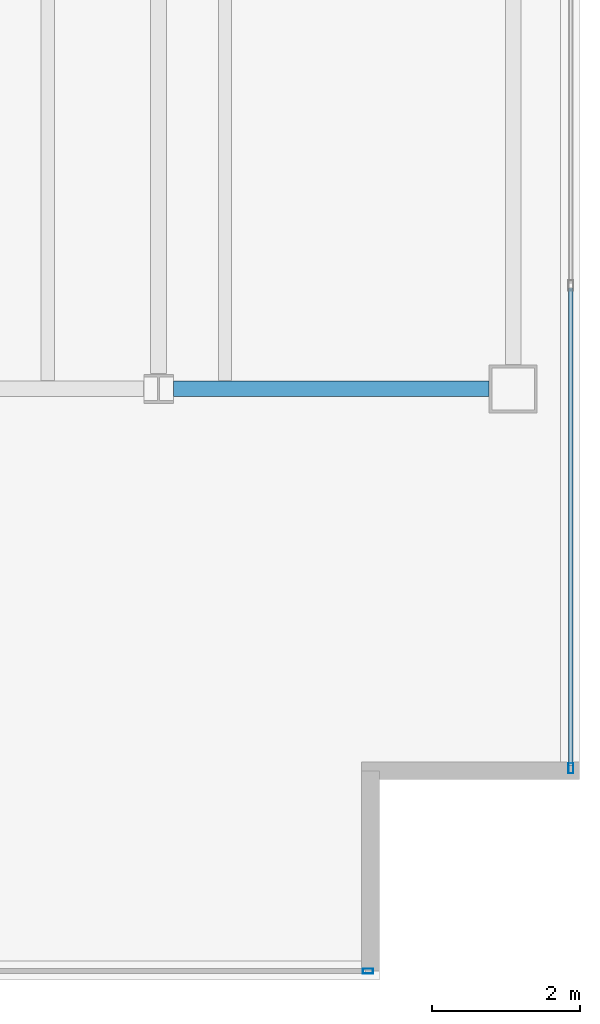
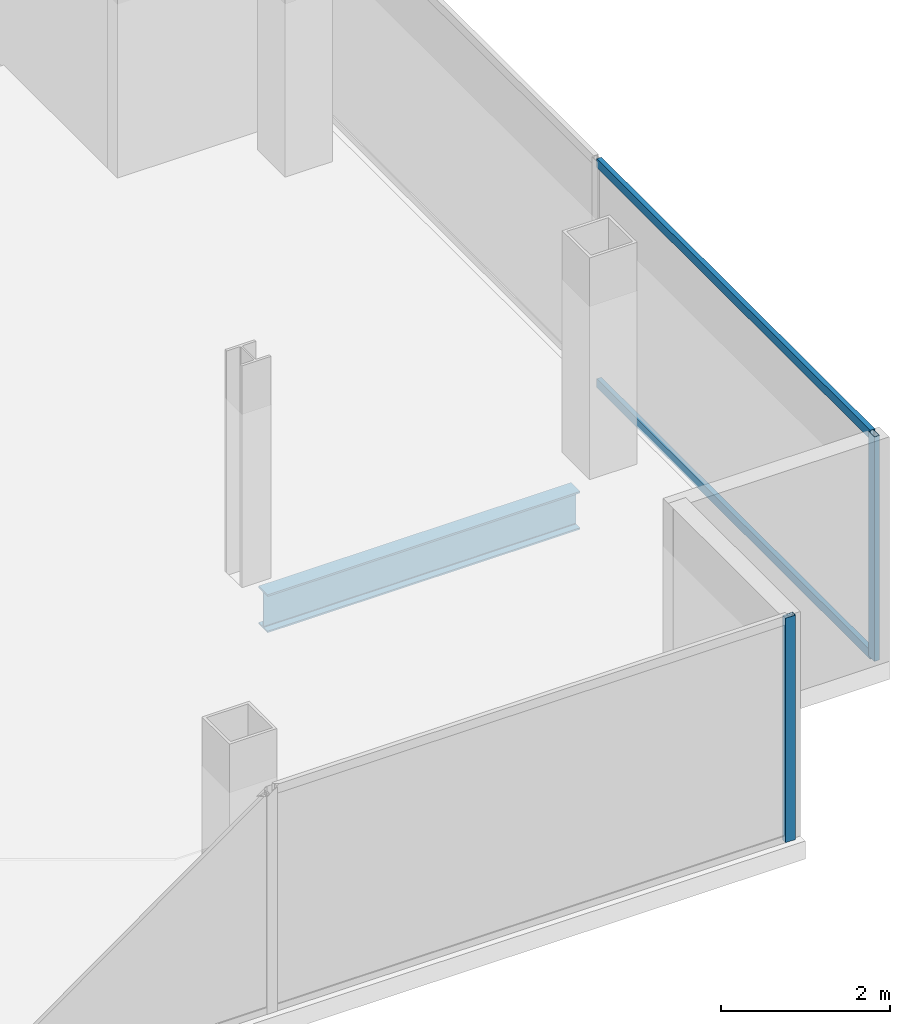
# One storey, part 14 of 23: 4 members, 1 beam, 2 elements without a shape of their own.
"""IFC4 building model written with IfcOpenShell, lengths in metres."""

from ifc_helpers import new_model, si_unit, direction, frame, origin, origin_2d, place, context, subcontext, project, spatial, hollow_rectangle, i_section, extrude, material, material_profile, profile_set, type_object, element, aggregate, save


model = new_model("IFC4")

# Units and contexts
model_context = context("Model", 3, precision=1e-05, world=origin(), true_north=direction((0.0, 1.0)))
body_context = subcontext(model_context, "Body", "Model", "MODEL_VIEW")
ifc_project = project(units=[si_unit("LENGTHUNIT", "METRE"), si_unit("AREAUNIT", "SQUARE_METRE"), si_unit("VOLUMEUNIT", "CUBIC_METRE"), si_unit("PLANEANGLEUNIT", "RADIAN"), si_unit("MASSUNIT", "GRAM", prefix="KILO")], contexts=[model_context])

# Site, building, storey
site_placement = place(None, origin())
site = spatial("IfcSite", under=ifc_project, at=site_placement, CompositionType="ELEMENT")
building_placement = place(site_placement, origin())
building = spatial("IfcBuilding", under=site, at=building_placement, Name="Cobrela Telecom Tower", CompositionType="ELEMENT")
storey_placement = place(building_placement, frame((0.0, 0.0, 286.64990234375)))
storey = spatial("IfcBuildingStorey", under=building, at=storey_placement, Name="L75", CompositionType="ELEMENT", Elevation=286.64990234375)

# Beam
ifc_material_1 = material(Name="Steel ASTM A992 Grade 50", Category="steel")
ifc_material_profile_1 = material_profile(ifc_material_1, i_section(OverallWidth=0.212890625, OverallDepth=0.549072265625, WebThickness=0.0146484375, FlangeThickness=0.023681640625, FilletRadius=0.013916015625, at=origin_2d()), Name="W21X93")
ifc_profile_set_1 = profile_set([ifc_material_profile_1], Name="Steel ASTM A992 Grade 50")
beam_type = type_object("IfcBeamType", Name="BM-GIRD-08", PredefinedType="USERDEFINED", material=ifc_profile_set_1)
beam_placement = place(storey_placement, frame((40.1044921875, 14.39990234375, -0.534423828125), z_axis=(1.0, 0.0, 0.0), x_axis=(0.0, 1.0, 0.0)))
element("IfcBeam", 1, at=beam_placement, inside=storey, type_object=beam_type, Name="L75 Primary Girder X09", ObjectType="GIRDER", PredefinedType="USERDEFINED", context=body_context, shape_type="SweptSolid", body=[
    extrude(i_section(OverallWidth=0.212890625, OverallDepth=0.549072265625, WebThickness=0.0146484375, FlangeThickness=0.023681640625, FilletRadius=0.013916015625, at=origin_2d()), origin(), (0.0, 0.0, 1.0), 4.265625),
])

# Curtain wall, member
ifc_material_2 = material(Name="Anodized Bronze Aluminium 6063-T6", Category="aluminium")
curtain_wall_type = type_object("IfcCurtainWallType", Name="CW-SYS-OFF-HI", PredefinedType="USERDEFINED", material=ifc_material_2)
curtain_wall_1_placement = place(storey_placement, origin())
curtain_wall_1 = element("IfcCurtainWall", 2, at=curtain_wall_1_placement, inside=storey, type_object=curtain_wall_type, Name="L75 Unitised Bronze Curtain Wall 12", ObjectType="UNITISED CURTAIN WALL", PredefinedType="USERDEFINED")
ifc_material_profile_2 = material_profile(ifc_material_2, hollow_rectangle(XDim=0.070068359375, YDim=0.139892578125, WallThickness=0.00390625, at=origin_2d()), Name="ALU 70x140x4")
ifc_profile_set_2 = profile_set([ifc_material_profile_2], Name="Anodized Bronze Aluminium 6063-T6")
member_type_1 = type_object("IfcMemberType", Name="CW-SYS-OFF-HI-MUL", PredefinedType="MULLION", material=ifc_profile_set_2)
member_1_placement = place(storey_placement, frame((45.47998046875, 9.264892578125, 0.0), z_axis=(0.0, 0.0, 1.0), x_axis=(1.0, 0.0, 0.0)))
member_1 = element("IfcMember", 3, at=member_1_placement, type_object=member_type_1, Name="CW-OFF-HI mullion 3", PredefinedType="MULLION", context=body_context, shape_type="SweptSolid", body=[
    extrude(hollow_rectangle(XDim=0.070068359375, YDim=0.139892578125, WallThickness=0.00390625, at=origin_2d()), origin(), (0.0, 0.0, 1.0), 3.239990234375),
])

curtain_wall_2_placement = place(storey_placement, origin())
curtain_wall_2 = element("IfcCurtainWall", 4, at=curtain_wall_2_placement, inside=storey, type_object=curtain_wall_type, Name="L75 Unitised Bronze Curtain Wall 15", ObjectType="UNITISED CURTAIN WALL", PredefinedType="USERDEFINED")
member_2_placement = place(storey_placement, frame((42.735107421875, 6.52001953125, 0.0), z_axis=(0.0, 0.0, 1.0), x_axis=(0.0, -1.0, 0.0)))
member_2 = element("IfcMember", 5, at=member_2_placement, type_object=member_type_1, Name="CW-OFF-HI mullion 1", PredefinedType="MULLION", context=body_context, shape_type="SweptSolid", body=[
    extrude(hollow_rectangle(XDim=0.070068359375, YDim=0.139892578125, WallThickness=0.00390625, at=origin_2d()), origin(), (0.0, 0.0, 1.0), 3.239990234375),
])
aggregate(curtain_wall_2, [member_2])

# Member
ifc_material_profile_3 = material_profile(ifc_material_2, hollow_rectangle(XDim=0.06494140625, YDim=0.1298828125, WallThickness=0.00390625, at=origin_2d()), Name="ALU 65x130x4")
ifc_profile_set_3 = profile_set([ifc_material_profile_3], Name="Anodized Bronze Aluminium 6063-T6")
member_type_2 = type_object("IfcMemberType", Name="CW-SYS-OFF-HI-TRN", PredefinedType="USERDEFINED", material=ifc_profile_set_3)
member_3_placement = place(storey_placement, frame((45.47998046875, 15.764892578125, 0.03271484375), z_axis=(0.0, -1.0, 0.0), x_axis=(1.0, 0.0, 0.0)))
member_3 = element("IfcMember", 6, at=member_3_placement, type_object=member_type_2, Name="CW-OFF-HI transom 2.1", ObjectType="TRANSOM", PredefinedType="USERDEFINED", context=body_context, shape_type="SweptSolid", body=[
    extrude(hollow_rectangle(XDim=0.06494140625, YDim=0.1298828125, WallThickness=0.00390625, at=origin_2d()), origin(), (0.0, 0.0, 1.0), 6.46484375),
])

member_4_placement = place(storey_placement, frame((45.47998046875, 15.764892578125, 3.20751953125), z_axis=(0.0, -1.0, 0.0), x_axis=(1.0, 0.0, 0.0)))
member_4 = element("IfcMember", 7, at=member_4_placement, type_object=member_type_2, Name="CW-OFF-HI transom 2.2", ObjectType="TRANSOM", PredefinedType="USERDEFINED", context=body_context, shape_type="SweptSolid", body=[
    extrude(hollow_rectangle(XDim=0.06494140625, YDim=0.1298828125, WallThickness=0.00390625, at=origin_2d()), origin(), (0.0, 0.0, 1.0), 6.46484375),
])

aggregate(curtain_wall_1, [member_1, member_3, member_4])

save(model, "model.ifc")
